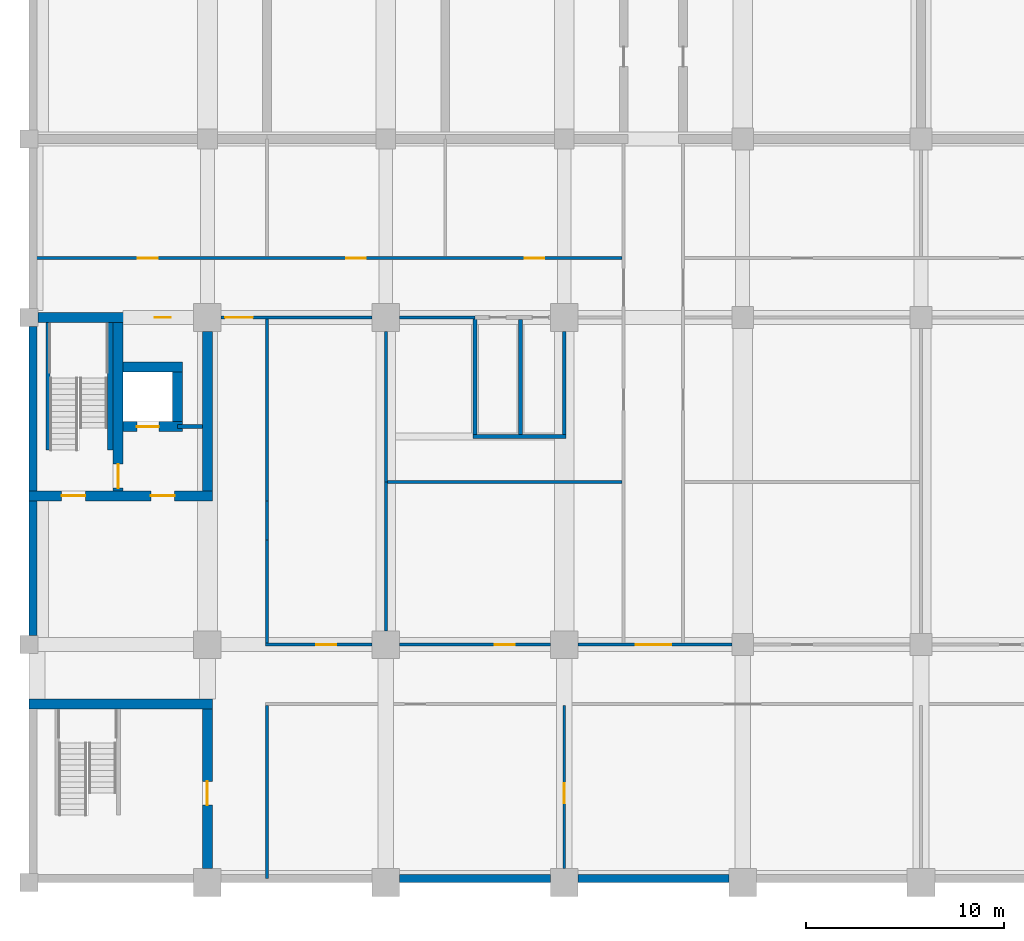
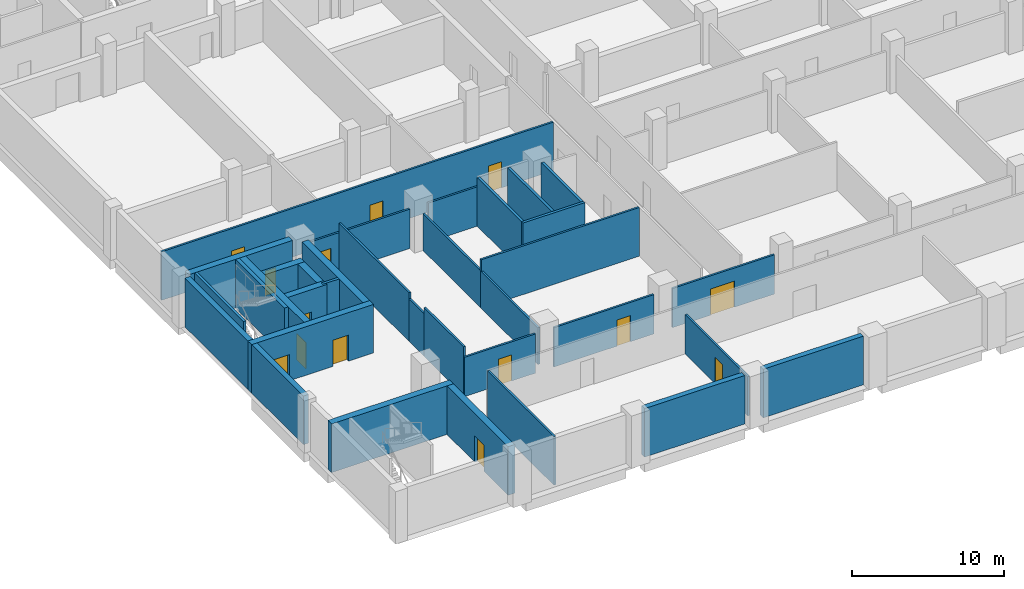
# One storey, part 4 of 16: 33 walls, 14 doors, 14 openings.
"""IFC4 building model written with IfcOpenShell, lengths in metres."""

from ifc_helpers import new_model, si_unit, direction, frame, frame_2d, origin, place, context, subcontext, project, spatial, rectangle, extrude, material, layer, layer_set, type_object, element, fill, save


model = new_model("IFC4")

# Units and contexts
model_context = context("Model", 3, precision=1e-05, world=origin(), true_north=direction((0.0, 1.0)))
body_context = subcontext(model_context, "Body", "Model", "MODEL_VIEW")
ifc_project = project(units=[si_unit("LENGTHUNIT", "METRE"), si_unit("AREAUNIT", "SQUARE_METRE"), si_unit("VOLUMEUNIT", "CUBIC_METRE"), si_unit("PLANEANGLEUNIT", "RADIAN"), si_unit("MASSUNIT", "GRAM", prefix="KILO")], contexts=[model_context])

# Site, building, storey
site_placement = place(None, origin())
site = spatial("IfcSite", under=ifc_project, at=site_placement, CompositionType="ELEMENT")
building_placement = place(site_placement, origin())
building = spatial("IfcBuilding", under=site, at=building_placement, Name="Aurelan Courthouse", CompositionType="ELEMENT")
storey_placement = place(building_placement, frame((0.0, 0.0, -4.199951171875)))
storey = spatial("IfcBuildingStorey", under=building, at=storey_placement, Name="B1", CompositionType="ELEMENT", Elevation=-4.199951171875)

# Wall, opening, door
ifc_material_1 = material(Name="Gypsum board on metal studs")
ifc_layer_1 = layer(ifc_material_1, 0.14990234375)
ifc_layer_set_1 = layer_set([ifc_layer_1], Name="Gypsum board on metal studs")
wall_type_1 = type_object("IfcWallType", Name="Corridor partition 150 EI 60", PredefinedType="PARTITIONING", material=ifc_layer_set_1)
wall_1_placement = place(storey_placement, frame((11.925048828125, 12.0, 0.0), z_axis=(0.0, 0.0, 1.0), x_axis=(1.0, 0.0, 0.0)))
wall_1 = element("IfcWall", 1, at=wall_1_placement, inside=storey, type_object=wall_type_1, Name="Corridor partition B1-002", PredefinedType="PARTITIONING", context=body_context, shape_type="SweptSolid", body=[
    extrude(rectangle(XDim=5.375, YDim=0.14990234375, at=frame_2d((2.6875, 0.0))), origin(), (0.0, 0.0, 1.0), 3.14990234375),
])
opening_1_placement = place(wall_1_placement, frame((2.574951171875, 0.0, 0.0)))
opening_1 = element("IfcOpeningElement", 2, at=opening_1_placement, cuts=wall_1, Name="Opening D-B1-047", PredefinedType="OPENING", context=body_context, shape_type="SweptSolid", body=[
    extrude(rectangle(XDim=1.0, YDim=2.10009765625, at=frame_2d((0.5, 1.050048828125))), frame((0.0, 0.0849609375, 0.0), z_axis=(0.0, -1.0, 0.0), x_axis=(1.0, 0.0, 0.0)), (0.0, 0.0, 1.0), 0.169921875),
])
ifc_material_2 = material(Name="Steel", Category="steel")
door_type_1 = type_object("IfcDoorType", Name="Single door 1000 x 2100 FD60", OperationType="SINGLE_SWING_LEFT", PredefinedType="DOOR", material=ifc_material_2)
door_1_placement = place(opening_1_placement, origin())
door_1 = element("IfcDoor", 3, at=door_1_placement, inside=storey, type_object=door_type_1, Name="Single door D-B1-047", OperationType="SINGLE_SWING_RIGHT", OverallHeight=2.10009765625, OverallWidth=1.0, PredefinedType="DOOR", context=body_context, shape_type="SweptSolid", body=[
    extrude(rectangle(XDim=1.0, YDim=2.10009765625, at=frame_2d((0.5, 1.050048828125))), frame((0.0, 0.02490234375, 0.0), z_axis=(0.0, -1.0, 0.0), x_axis=(1.0, 0.0, 0.0)), (0.0, 0.0, 1.0), 0.050048828125),
])
fill(opening_1, door_1)

wall_2_placement = place(storey_placement, frame((18.699951171875, 12.0, 0.0), z_axis=(0.0, 0.0, 1.0), x_axis=(1.0, 0.0, 0.0)))
wall_2 = element("IfcWall", 4, at=wall_2_placement, inside=storey, type_object=wall_type_1, Name="Corridor partition B1-003", PredefinedType="PARTITIONING", context=body_context, shape_type="SweptSolid", body=[
    extrude(rectangle(XDim=7.60009765625, YDim=0.14990234375, at=frame_2d((3.800048828125, 0.0))), origin(), (0.0, 0.0, 1.0), 3.14990234375),
])
opening_2_placement = place(wall_2_placement, frame((4.800048828125, 0.0, 0.0)))
opening_2 = element("IfcOpeningElement", 5, at=opening_2_placement, cuts=wall_2, Name="Opening D-B1-048", PredefinedType="OPENING", context=body_context, shape_type="SweptSolid", body=[
    extrude(rectangle(XDim=1.0, YDim=2.10009765625, at=frame_2d((0.5, 1.050048828125))), frame((0.0, 0.0849609375, 0.0), z_axis=(0.0, -1.0, 0.0), x_axis=(1.0, 0.0, 0.0)), (0.0, 0.0, 1.0), 0.169921875),
])
door_2_placement = place(opening_2_placement, origin())
door_2 = element("IfcDoor", 6, at=door_2_placement, inside=storey, type_object=door_type_1, Name="Single door D-B1-048", OperationType="SINGLE_SWING_LEFT", OverallHeight=2.10009765625, OverallWidth=1.0, PredefinedType="DOOR", context=body_context, shape_type="SweptSolid", body=[
    extrude(rectangle(XDim=1.0, YDim=2.10009765625, at=frame_2d((0.5, 1.050048828125))), frame((0.0, 0.02490234375, 0.0), z_axis=(0.0, -1.0, 0.0), x_axis=(1.0, 0.0, 0.0)), (0.0, 0.0, 1.0), 0.050048828125),
])
fill(opening_2, door_2)

wall_3_placement = place(storey_placement, frame((27.699951171875, 12.0, 0.0), z_axis=(0.0, 0.0, 1.0), x_axis=(1.0, 0.0, 0.0)))
wall_3 = element("IfcWall", 7, at=wall_3_placement, inside=storey, type_object=wall_type_1, Name="Corridor partition B1-004", PredefinedType="PARTITIONING", context=body_context, shape_type="SweptSolid", body=[
    extrude(rectangle(XDim=7.75, YDim=0.14990234375, at=frame_2d((3.875, 0.0))), origin(), (0.0, 0.0, 1.0), 3.14990234375),
])
opening_3_placement = place(wall_3_placement, frame((2.89990234375, 0.0, 0.0)))
opening_3 = element("IfcOpeningElement", 8, at=opening_3_placement, cuts=wall_3, Name="Opening D-B1-002", PredefinedType="OPENING", context=body_context, shape_type="SweptSolid", body=[
    extrude(rectangle(XDim=1.800048828125, YDim=2.10009765625, at=frame_2d((0.89990234375, 1.050048828125))), frame((0.0, 0.0849609375, 0.0), z_axis=(0.0, -1.0, 0.0), x_axis=(1.0, 0.0, 0.0)), (0.0, 0.0, 1.0), 0.169921875),
])
door_type_2 = type_object("IfcDoorType", Name="Double door 1800 x 2100 FD60", OperationType="DOUBLE_DOOR_SINGLE_SWING", PredefinedType="DOOR", material=ifc_material_2)
door_3_placement = place(opening_3_placement, origin())
door_3 = element("IfcDoor", 9, at=door_3_placement, inside=storey, type_object=door_type_2, Name="Double door D-B1-002", OperationType="DOUBLE_DOOR_SINGLE_SWING", OverallHeight=2.10009765625, OverallWidth=1.800048828125, PredefinedType="DOOR", context=body_context, shape_type="SweptSolid", body=[
    extrude(rectangle(XDim=1.800048828125, YDim=2.10009765625, at=frame_2d((0.89990234375, 1.050048828125))), frame((0.0, 0.02490234375, 0.0), z_axis=(0.0, -1.0, 0.0), x_axis=(1.0, 0.0, 0.0)), (0.0, 0.0, 1.0), 0.050048828125),
])
fill(opening_3, door_3)

wall_4_placement = place(storey_placement, frame((9.699951171875, 28.5, 0.0), z_axis=(0.0, 0.0, 1.0), x_axis=(1.0, 0.0, 0.0)))
wall_4 = element("IfcWall", 10, at=wall_4_placement, inside=storey, type_object=wall_type_1, Name="Corridor partition B1-021", PredefinedType="PARTITIONING", context=body_context, shape_type="SweptSolid", body=[
    extrude(rectangle(XDim=7.60009765625, YDim=0.14990234375, at=frame_2d((3.800048828125, 0.0))), origin(), (0.0, 0.0, 1.0), 3.14990234375),
])
opening_4_placement = place(wall_4_placement, frame((0.199951171875, 0.0, 0.0)))
opening_4 = element("IfcOpeningElement", 11, at=opening_4_placement, cuts=wall_4, Name="Opening D-B1-001", PredefinedType="OPENING", context=body_context, shape_type="SweptSolid", body=[
    extrude(rectangle(XDim=1.39990234375, YDim=2.10009765625, at=frame_2d((0.699951171875, 1.050048828125))), frame((0.0, 0.0849609375, 0.0), z_axis=(0.0, -1.0, 0.0), x_axis=(1.0, 0.0, 0.0)), (0.0, 0.0, 1.0), 0.169921875),
])
door_type_3 = type_object("IfcDoorType", Name="Double door 1400 x 2100 FD60", OperationType="DOUBLE_DOOR_SINGLE_SWING", PredefinedType="DOOR", material=ifc_material_2)
door_4_placement = place(opening_4_placement, origin())
door_4 = element("IfcDoor", 12, at=door_4_placement, inside=storey, type_object=door_type_3, Name="Double door D-B1-001", OperationType="DOUBLE_DOOR_SINGLE_SWING", OverallHeight=2.10009765625, OverallWidth=1.39990234375, PredefinedType="DOOR", context=body_context, shape_type="SweptSolid", body=[
    extrude(rectangle(XDim=1.39990234375, YDim=2.10009765625, at=frame_2d((0.699951171875, 1.050048828125))), frame((0.0, 0.02490234375, 0.0), z_axis=(0.0, -1.0, 0.0), x_axis=(1.0, 0.0, 0.0)), (0.0, 0.0, 1.0), 0.050048828125),
])
fill(opening_4, door_4)

# Wall
wall_5_placement = place(storey_placement, frame((18.699951171875, 28.5, 0.0), z_axis=(0.0, 0.0, 1.0), x_axis=(1.0, 0.0, 0.0)))
element("IfcWall", 13, at=wall_5_placement, inside=storey, type_object=wall_type_1, Name="Corridor partition B1-022", PredefinedType="PARTITIONING", context=body_context, shape_type="SweptSolid", body=[
    extrude(rectangle(XDim=3.800048828125, YDim=0.14990234375, at=frame_2d((1.89990234375, 0.0))), origin(), (0.0, 0.0, 1.0), 3.14990234375),
])

# Wall, openings, doors
wall_6_placement = place(storey_placement, frame((0.199951171875, 31.5, 0.0), z_axis=(0.0, 0.0, 1.0), x_axis=(1.0, 0.0, 0.0)))
wall_6 = element("IfcWall", 14, at=wall_6_placement, inside=storey, type_object=wall_type_1, Name="Corridor partition B1-034", PredefinedType="PARTITIONING", context=body_context, shape_type="SweptSolid", body=[
    extrude(rectangle(XDim=29.72509765625, YDim=0.14990234375, at=frame_2d((14.862548828125, 0.0))), origin(), (0.0, 0.0, 1.0), 3.89990234375),
])
opening_5_placement = place(wall_6_placement, frame((5.300048828125, 0.0, 0.0)))
opening_5 = element("IfcOpeningElement", 15, at=opening_5_placement, cuts=wall_6, Name="Opening D-B1-024", PredefinedType="OPENING", context=body_context, shape_type="SweptSolid", body=[
    extrude(rectangle(XDim=1.0, YDim=2.10009765625, at=frame_2d((0.5, 1.050048828125))), frame((0.0, 0.0849609375, 0.0), z_axis=(0.0, -1.0, 0.0), x_axis=(1.0, 0.0, 0.0)), (0.0, 0.0, 1.0), 0.169921875),
])
opening_6_placement = place(wall_6_placement, frame((15.800048828125, 0.0, 0.0)))
opening_6 = element("IfcOpeningElement", 16, at=opening_6_placement, cuts=wall_6, Name="Opening D-B1-025", PredefinedType="OPENING", context=body_context, shape_type="SweptSolid", body=[
    extrude(rectangle(XDim=1.0, YDim=2.10009765625, at=frame_2d((0.5, 1.050048828125))), frame((0.0, 0.0849609375, 0.0), z_axis=(0.0, -1.0, 0.0), x_axis=(1.0, 0.0, 0.0)), (0.0, 0.0, 1.0), 0.169921875),
])
opening_7_placement = place(wall_6_placement, frame((24.800048828125, 0.0, 0.0)))
opening_7 = element("IfcOpeningElement", 17, at=opening_7_placement, cuts=wall_6, Name="Opening D-B1-026", PredefinedType="OPENING", context=body_context, shape_type="SweptSolid", body=[
    extrude(rectangle(XDim=1.0, YDim=2.10009765625, at=frame_2d((0.5, 1.050048828125))), frame((0.0, 0.0849609375, 0.0), z_axis=(0.0, -1.0, 0.0), x_axis=(1.0, 0.0, 0.0)), (0.0, 0.0, 1.0), 0.169921875),
])
door_5_placement = place(opening_5_placement, origin())
door_5 = element("IfcDoor", 18, at=door_5_placement, inside=storey, type_object=door_type_1, Name="Single door D-B1-024", OperationType="SINGLE_SWING_LEFT", OverallHeight=2.10009765625, OverallWidth=1.0, PredefinedType="DOOR", context=body_context, shape_type="SweptSolid", body=[
    extrude(rectangle(XDim=1.0, YDim=2.10009765625, at=frame_2d((0.5, 1.050048828125))), frame((0.0, 0.02490234375, 0.0), z_axis=(0.0, -1.0, 0.0), x_axis=(1.0, 0.0, 0.0)), (0.0, 0.0, 1.0), 0.050048828125),
])
fill(opening_5, door_5)
door_6_placement = place(opening_6_placement, origin())
door_6 = element("IfcDoor", 19, at=door_6_placement, inside=storey, type_object=door_type_1, Name="Single door D-B1-025", OperationType="SINGLE_SWING_RIGHT", OverallHeight=2.10009765625, OverallWidth=1.0, PredefinedType="DOOR", context=body_context, shape_type="SweptSolid", body=[
    extrude(rectangle(XDim=1.0, YDim=2.10009765625, at=frame_2d((0.5, 1.050048828125))), frame((0.0, 0.02490234375, 0.0), z_axis=(0.0, -1.0, 0.0), x_axis=(1.0, 0.0, 0.0)), (0.0, 0.0, 1.0), 0.050048828125),
])
fill(opening_6, door_6)
door_7_placement = place(opening_7_placement, origin())
door_7 = element("IfcDoor", 20, at=door_7_placement, inside=storey, type_object=door_type_1, Name="Single door D-B1-026", OperationType="SINGLE_SWING_LEFT", OverallHeight=2.10009765625, OverallWidth=1.0, PredefinedType="DOOR", context=body_context, shape_type="SweptSolid", body=[
    extrude(rectangle(XDim=1.0, YDim=2.10009765625, at=frame_2d((0.5, 1.050048828125))), frame((0.0, 0.02490234375, 0.0), z_axis=(0.0, -1.0, 0.0), x_axis=(1.0, 0.0, 0.0)), (0.0, 0.0, 1.0), 0.050048828125),
])
fill(opening_7, door_7)

# Walls
wall_7_placement = place(storey_placement, frame((12.0, 0.199951171875, 0.0), z_axis=(0.0, 0.0, 1.0), x_axis=(0.0, 1.0, 0.0)))
element("IfcWall", 21, at=wall_7_placement, inside=storey, type_object=wall_type_1, Name="Corridor partition B1-095", PredefinedType="PARTITIONING", context=body_context, shape_type="SweptSolid", body=[
    extrude(rectangle(XDim=8.72509765625, YDim=0.14990234375, at=frame_2d((4.362548828125, 0.0))), origin(), (0.0, 0.0, 1.0), 3.89990234375),
])
wall_8_placement = place(storey_placement, frame((12.0, 12.074951171875, 0.0), z_axis=(0.0, 0.0, 1.0), x_axis=(0.0, 1.0, 0.0)))
element("IfcWall", 22, at=wall_8_placement, inside=storey, type_object=wall_type_1, Name="Corridor partition B1-096", PredefinedType="PARTITIONING", context=body_context, shape_type="SweptSolid", body=[
    extrude(rectangle(XDim=5.199951171875, YDim=0.14990234375, at=frame_2d((2.60009765625, 0.0))), origin(), (0.0, 0.0, 1.0), 3.89990234375),
])
wall_9_placement = place(storey_placement, frame((12.0, 17.27490234375, 0.0), z_axis=(0.0, 0.0, 1.0), x_axis=(0.0, 1.0, 0.0)))
element("IfcWall", 23, at=wall_9_placement, inside=storey, type_object=wall_type_1, Name="Corridor partition B1-096B", PredefinedType="PARTITIONING", context=body_context, shape_type="SweptSolid", body=[
    extrude(rectangle(XDim=1.97509765625, YDim=0.14990234375, at=frame_2d((0.987548828125, 0.0))), origin(), (0.0, 0.0, 1.0), 3.39990234375),
])
wall_10_placement = place(storey_placement, frame((12.0, 19.25, 0.0), z_axis=(0.0, 0.0, 1.0), x_axis=(0.0, 1.0, 0.0)))
element("IfcWall", 24, at=wall_10_placement, inside=storey, type_object=wall_type_1, Name="Corridor partition B1-096C", PredefinedType="PARTITIONING", context=body_context, shape_type="SweptSolid", body=[
    extrude(rectangle(XDim=9.175048828125, YDim=0.14990234375, at=frame_2d((4.58740234375, 0.0))), origin(), (0.0, 0.0, 1.0), 3.89990234375),
])

# Wall, opening, door
ifc_layer_2 = layer(ifc_material_1, 0.14990234375)
ifc_layer_set_2 = layer_set([ifc_layer_2], Name="Gypsum board on metal studs")
wall_type_2 = type_object("IfcWallType", Name="Partition 150 EI 30", PredefinedType="PARTITIONING", material=ifc_layer_set_2)
wall_11_placement = place(storey_placement, frame((27.0, 0.699951171875, 0.0), z_axis=(0.0, 0.0, 1.0), x_axis=(0.0, 1.0, 0.0)))
wall_11 = element("IfcWall", 25, at=wall_11_placement, inside=storey, type_object=wall_type_2, Name="Partition B1-108", PredefinedType="PARTITIONING", context=body_context, shape_type="SweptSolid", body=[
    extrude(rectangle(XDim=8.22509765625, YDim=0.14990234375, at=frame_2d((4.112548828125, 0.0))), origin(), (0.0, 0.0, 1.0), 3.14990234375),
])
opening_8_placement = place(wall_11_placement, frame((4.300048828125, 0.0, 0.0), z_axis=(0.0, 0.0, 1.0), x_axis=(-1.0, 0.0, 0.0)))
opening_8 = element("IfcOpeningElement", 26, at=opening_8_placement, cuts=wall_11, Name="Opening D-B1-069", PredefinedType="OPENING", context=body_context, shape_type="SweptSolid", body=[
    extrude(rectangle(XDim=1.0, YDim=2.10009765625, at=frame_2d((0.5, 1.050048828125))), frame((0.0, 0.0849609375, 0.0), z_axis=(0.0, -1.0, 0.0), x_axis=(1.0, 0.0, 0.0)), (0.0, 0.0, 1.0), 0.169921875),
])
door_type_4 = type_object("IfcDoorType", Name="Single door 1000 x 2100 FD30S", OperationType="SINGLE_SWING_LEFT", PredefinedType="DOOR", material=ifc_material_2)
door_8_placement = place(opening_8_placement, origin())
door_8 = element("IfcDoor", 27, at=door_8_placement, inside=storey, type_object=door_type_4, Name="Single door D-B1-069", OperationType="SINGLE_SWING_RIGHT", OverallHeight=2.10009765625, OverallWidth=1.0, PredefinedType="DOOR", context=body_context, shape_type="SweptSolid", body=[
    extrude(rectangle(XDim=1.0, YDim=2.10009765625, at=frame_2d((0.5, 1.050048828125))), frame((0.0, 0.02490234375, 0.0), z_axis=(0.0, -1.0, 0.0), x_axis=(1.0, 0.0, 0.0)), (0.0, 0.0, 1.0), 0.050048828125),
])
fill(opening_8, door_8)

# Walls
ifc_layer_3 = layer(ifc_material_1, 0.14990234375)
ifc_layer_set_3 = layer_set([ifc_layer_3], Name="Gypsum board on metal studs")
wall_type_3 = type_object("IfcWallType", Name="Partition 150 NOT RATED", PredefinedType="PARTITIONING", material=ifc_layer_set_3)
wall_12_placement = place(storey_placement, frame((18.0, 12.699951171875, 0.0), z_axis=(0.0, 0.0, 1.0), x_axis=(0.0, 1.0, 0.0)))
element("IfcWall", 28, at=wall_12_placement, inside=storey, type_object=wall_type_3, Name="Partition B1-099", PredefinedType="PARTITIONING", context=body_context, shape_type="SweptSolid", body=[
    extrude(rectangle(XDim=7.5, YDim=0.14990234375, at=frame_2d((3.75, 0.0))), origin(), (0.0, 0.0, 1.0), 2.949951171875),
])
ifc_material_3 = material(Name="Concrete C50", Category="concrete")
ifc_layer_4 = layer(ifc_material_3, 0.39990234375)
ifc_layer_set_4 = layer_set([ifc_layer_4], Name="Concrete C50")
wall_type_4 = type_object("IfcWallType", Name="RC retaining wall 400", PredefinedType="SOLIDWALL", material=ifc_layer_set_4)
for number, where, z_axis, x_axis, name in (
    (29, (18.699951171875, 0.199951171875, 0.0), (0.0, 0.0, 1.0), (1.0, 0.0, 0.0), "Retaining wall SW-B1-003"),
    (30, (27.699951171875, 0.199951171875, 0.0), (0.0, 0.0, 1.0), (1.0, 0.0, 0.0), "Retaining wall SW-B1-004"),
):
    element("IfcWall", number, at=place(storey_placement, frame(where, z_axis=z_axis, x_axis=x_axis)), inside=storey, type_object=wall_type_4, Name=name, PredefinedType="SOLIDWALL", context=body_context, shape_type="SweptSolid", body=[
        extrude(rectangle(XDim=7.60009765625, YDim=0.39990234375, at=frame_2d((3.800048828125, 0.0))), origin(), (0.0, 0.0, 1.0), 3.89990234375),
    ])
wall_13_placement = place(storey_placement, frame((0.199951171875, 12.449951171875, 0.0), z_axis=(0.0, 0.0, 1.0), x_axis=(0.0, 1.0, 0.0)))
element("IfcWall", 31, at=wall_13_placement, inside=storey, type_object=wall_type_4, Name="Retaining wall SW-B1-017", PredefinedType="SOLIDWALL", context=body_context, shape_type="SweptSolid", body=[
    extrude(rectangle(XDim=15.60009765625, YDim=0.39990234375, at=frame_2d((7.800048828125, 0.0))), origin(), (0.0, 0.0, 1.0), 3.89990234375),
])

# Wall, opening, door
ifc_layer_5 = layer(ifc_material_3, 0.5)
ifc_layer_set_5 = layer_set([ifc_layer_5], Name="Concrete C50")
wall_type_5 = type_object("IfcWallType", Name="RC shear wall 500", PredefinedType="SHEAR", material=ifc_layer_set_5)
wall_14_placement = place(storey_placement, frame((9.0, 0.699951171875, 0.0), z_axis=(0.0, 0.0, 1.0), x_axis=(0.0, 1.0, 0.0)))
wall_14 = element("IfcWall", 32, at=wall_14_placement, inside=storey, type_object=wall_type_5, Name="Core wall SW-B1-014", PredefinedType="SHEAR", context=body_context, shape_type="SweptSolid", body=[
    extrude(rectangle(XDim=8.050048828125, YDim=0.5, at=frame_2d((4.02490234375, 0.0))), origin(), (0.0, 0.0, 1.0), 3.89990234375),
])
opening_9_placement = place(wall_14_placement, frame((3.199951171875, 0.0, 0.0)))
opening_9 = element("IfcOpeningElement", 33, at=opening_9_placement, cuts=wall_14, Name="Opening D-B1-050", PredefinedType="OPENING", context=body_context, shape_type="SweptSolid", body=[
    extrude(rectangle(XDim=1.199951171875, YDim=2.10009765625, at=frame_2d((0.60009765625, 1.050048828125))), frame((0.0, 0.260009765625, 0.0), z_axis=(0.0, -1.0, 0.0), x_axis=(1.0, 0.0, 0.0)), (0.0, 0.0, 1.0), 0.52001953125),
])
door_type_5 = type_object("IfcDoorType", Name="Single door 1200 x 2100 FD90", OperationType="SINGLE_SWING_LEFT", PredefinedType="DOOR", material=ifc_material_2)
door_9_placement = place(opening_9_placement, origin())
door_9 = element("IfcDoor", 34, at=door_9_placement, inside=storey, type_object=door_type_5, Name="Single door D-B1-050", OperationType="SINGLE_SWING_LEFT", OverallHeight=2.10009765625, OverallWidth=1.199951171875, PredefinedType="DOOR", context=body_context, shape_type="SweptSolid", body=[
    extrude(rectangle(XDim=1.199951171875, YDim=2.10009765625, at=frame_2d((0.60009765625, 1.050048828125))), frame((0.0, 0.02490234375, 0.0), z_axis=(0.0, -1.0, 0.0), x_axis=(1.0, 0.0, 0.0)), (0.0, 0.0, 1.0), 0.050048828125),
])
fill(opening_9, door_9)

# Wall
wall_15_placement = place(storey_placement, frame((0.0, 9.0, 0.0), z_axis=(0.0, 0.0, 1.0), x_axis=(1.0, 0.0, 0.0)))
element("IfcWall", 35, at=wall_15_placement, inside=storey, type_object=wall_type_5, Name="Core wall SW-B1-015", PredefinedType="SHEAR", context=body_context, shape_type="SweptSolid", body=[
    extrude(rectangle(XDim=9.25, YDim=0.5, at=frame_2d((4.625, 0.0))), origin(), (0.0, 0.0, 1.0), 3.89990234375),
])

# Wall, openings, doors
wall_16_placement = place(storey_placement, frame((0.0, 19.5, 0.0), z_axis=(0.0, 0.0, 1.0), x_axis=(1.0, 0.0, 0.0)))
wall_16 = element("IfcWall", 36, at=wall_16_placement, inside=storey, type_object=wall_type_5, Name="Core wall SW-B1-019", PredefinedType="SHEAR", context=body_context, shape_type="SweptSolid", body=[
    extrude(rectangle(XDim=9.25, YDim=0.5, at=frame_2d((4.625, 0.0))), origin(), (0.0, 0.0, 1.0), 3.89990234375),
])
opening_10_placement = place(wall_16_placement, frame((1.64990234375, 0.0, 0.0)))
opening_10 = element("IfcOpeningElement", 37, at=opening_10_placement, cuts=wall_16, Name="Opening D-B1-054", PredefinedType="OPENING", context=body_context, shape_type="SweptSolid", body=[
    extrude(rectangle(XDim=1.199951171875, YDim=2.10009765625, at=frame_2d((0.60009765625, 1.050048828125))), frame((0.0, 0.260009765625, 0.0), z_axis=(0.0, -1.0, 0.0), x_axis=(1.0, 0.0, 0.0)), (0.0, 0.0, 1.0), 0.52001953125),
])
opening_11_placement = place(wall_16_placement, frame((7.349853515625, 0.0, 0.0), z_axis=(0.0, 0.0, 1.0), x_axis=(-1.0, 0.0, 0.0)))
opening_11 = element("IfcOpeningElement", 38, at=opening_11_placement, cuts=wall_16, Name="Opening D-B1-072", PredefinedType="OPENING", context=body_context, shape_type="SweptSolid", body=[
    extrude(rectangle(XDim=1.199951171875, YDim=2.10009765625, at=frame_2d((0.60009765625, 1.050048828125))), frame((0.0, 0.260009765625, 0.0), z_axis=(0.0, -1.0, 0.0), x_axis=(1.0, 0.0, 0.0)), (0.0, 0.0, 1.0), 0.52001953125),
])
door_10_placement = place(opening_10_placement, origin())
door_10 = element("IfcDoor", 39, at=door_10_placement, inside=storey, type_object=door_type_5, Name="Single door D-B1-054", OperationType="SINGLE_SWING_LEFT", OverallHeight=2.10009765625, OverallWidth=1.199951171875, PredefinedType="DOOR", context=body_context, shape_type="SweptSolid", body=[
    extrude(rectangle(XDim=1.199951171875, YDim=2.10009765625, at=frame_2d((0.60009765625, 1.050048828125))), frame((0.0, 0.02490234375, 0.0), z_axis=(0.0, -1.0, 0.0), x_axis=(1.0, 0.0, 0.0)), (0.0, 0.0, 1.0), 0.050048828125),
])
fill(opening_10, door_10)
door_11_placement = place(opening_11_placement, origin())
door_11 = element("IfcDoor", 40, at=door_11_placement, inside=storey, type_object=door_type_5, Name="Single door D-B1-072", OperationType="SINGLE_SWING_LEFT", OverallHeight=2.10009765625, OverallWidth=1.199951171875, PredefinedType="DOOR", context=body_context, shape_type="SweptSolid", body=[
    extrude(rectangle(XDim=1.199951171875, YDim=2.10009765625, at=frame_2d((0.60009765625, 1.050048828125))), frame((0.0, 0.02490234375, 0.0), z_axis=(0.0, -1.0, 0.0), x_axis=(1.0, 0.0, 0.0)), (0.0, 0.0, 1.0), 0.050048828125),
])
fill(opening_11, door_11)

# Wall, opening, door
wall_17_placement = place(storey_placement, frame((4.5, 19.75, 0.0), z_axis=(0.0, 0.0, 1.0), x_axis=(0.0, 1.0, 0.0)))
wall_17 = element("IfcWall", 41, at=wall_17_placement, inside=storey, type_object=wall_type_5, Name="Core wall SW-B1-020", PredefinedType="SHEAR", context=body_context, shape_type="SweptSolid", body=[
    extrude(rectangle(XDim=8.5, YDim=0.5, at=frame_2d((4.25, 0.0))), origin(), (0.0, 0.0, 1.0), 3.89990234375),
])
opening_12_placement = place(wall_17_placement, frame((0.14990234375, 0.0, 0.0)))
opening_12 = element("IfcOpeningElement", 42, at=opening_12_placement, cuts=wall_17, Name="Opening D-B1-073", PredefinedType="OPENING", context=body_context, shape_type="SweptSolid", body=[
    extrude(rectangle(XDim=1.199951171875, YDim=2.10009765625, at=frame_2d((0.60009765625, 1.050048828125))), frame((0.0, 0.260009765625, 0.0), z_axis=(0.0, -1.0, 0.0), x_axis=(1.0, 0.0, 0.0)), (0.0, 0.0, 1.0), 0.52001953125),
])
door_12_placement = place(opening_12_placement, origin())
door_12 = element("IfcDoor", 43, at=door_12_placement, inside=storey, type_object=door_type_5, Name="Single door D-B1-073", OperationType="SINGLE_SWING_LEFT", OverallHeight=2.10009765625, OverallWidth=1.199951171875, PredefinedType="DOOR", context=body_context, shape_type="SweptSolid", body=[
    extrude(rectangle(XDim=1.199951171875, YDim=2.10009765625, at=frame_2d((0.60009765625, 1.050048828125))), frame((0.0, 0.02490234375, 0.0), z_axis=(0.0, -1.0, 0.0), x_axis=(1.0, 0.0, 0.0)), (0.0, 0.0, 1.0), 0.050048828125),
])
fill(opening_12, door_12)

# Wall
wall_18_placement = place(storey_placement, frame((9.0, 19.75, 0.0), z_axis=(0.0, 0.0, 1.0), x_axis=(0.0, 1.0, 0.0)))
element("IfcWall", 44, at=wall_18_placement, inside=storey, type_object=wall_type_5, Name="Core wall SW-B1-021", PredefinedType="SHEAR", context=body_context, shape_type="SweptSolid", body=[
    extrude(rectangle(XDim=8.050048828125, YDim=0.5, at=frame_2d((4.02490234375, 0.0))), origin(), (0.0, 0.0, 1.0), 3.89990234375),
])

# Wall, opening, door
wall_19_placement = place(storey_placement, frame((4.75, 23.0, 0.0), z_axis=(0.0, 0.0, 1.0), x_axis=(1.0, 0.0, 0.0)))
wall_19 = element("IfcWall", 45, at=wall_19_placement, inside=storey, type_object=wall_type_5, Name="Core wall SW-B1-022", PredefinedType="SHEAR", context=body_context, shape_type="SweptSolid", body=[
    extrude(rectangle(XDim=3.0, YDim=0.5, at=frame_2d((1.5, 0.0))), origin(), (0.0, 0.0, 1.0), 3.89990234375),
])
opening_13_placement = place(wall_19_placement, frame((0.699951171875, 0.0, 0.0)))
opening_13 = element("IfcOpeningElement", 46, at=opening_13_placement, cuts=wall_19, Name="Opening LD-V5-F1-B1", PredefinedType="OPENING", context=body_context, shape_type="SweptSolid", body=[
    extrude(rectangle(XDim=1.10009765625, YDim=2.10009765625, at=frame_2d((0.550048828125, 1.050048828125))), frame((0.0, 0.260009765625, 0.0), z_axis=(0.0, -1.0, 0.0), x_axis=(1.0, 0.0, 0.0)), (0.0, 0.0, 1.0), 0.52001953125),
])
door_type_6 = type_object("IfcDoorType", Name="Lift landing door 1100 x 2100 FD90", OperationType="SLIDING_TO_LEFT", PredefinedType="DOOR", material=ifc_material_2)
door_13_placement = place(opening_13_placement, origin())
door_13 = element("IfcDoor", 47, at=door_13_placement, inside=storey, type_object=door_type_6, Name="Lift landing door LD-V5-F1-B1", OperationType="SLIDING_TO_LEFT", OverallHeight=2.10009765625, OverallWidth=1.10009765625, PredefinedType="DOOR", context=body_context, shape_type="SweptSolid", body=[
    extrude(rectangle(XDim=1.10009765625, YDim=2.10009765625, at=frame_2d((0.550048828125, 1.050048828125))), frame((0.0, 0.02490234375, 0.0), z_axis=(0.0, -1.0, 0.0), x_axis=(1.0, 0.0, 0.0)), (0.0, 0.0, 1.0), 0.050048828125),
])
fill(opening_13, door_13)

# Walls
wall_20_placement = place(storey_placement, frame((7.5, 23.25, 0.0), z_axis=(0.0, 0.0, 1.0), x_axis=(0.0, 1.0, 0.0)))
element("IfcWall", 48, at=wall_20_placement, inside=storey, type_object=wall_type_5, Name="Core wall SW-B1-023", PredefinedType="SHEAR", context=body_context, shape_type="SweptSolid", body=[
    extrude(rectangle(XDim=2.5, YDim=0.5, at=frame_2d((1.25, 0.0))), origin(), (0.0, 0.0, 1.0), 3.89990234375),
])
wall_21_placement = place(storey_placement, frame((4.75, 26.0, 0.0), z_axis=(0.0, 0.0, 1.0), x_axis=(1.0, 0.0, 0.0)))
element("IfcWall", 49, at=wall_21_placement, inside=storey, type_object=wall_type_5, Name="Core wall SW-B1-024", PredefinedType="SHEAR", context=body_context, shape_type="SweptSolid", body=[
    extrude(rectangle(XDim=3.0, YDim=0.5, at=frame_2d((1.5, 0.0))), origin(), (0.0, 0.0, 1.0), 3.89990234375),
])

# Wall, opening, door
wall_22_placement = place(storey_placement, frame((0.449951171875, 28.5, 0.0), z_axis=(0.0, 0.0, 1.0), x_axis=(1.0, 0.0, 0.0)))
wall_22 = element("IfcWall", 50, at=wall_22_placement, inside=storey, type_object=wall_type_5, Name="Core wall SW-B1-025", PredefinedType="SHEAR", context=body_context, shape_type="SweptSolid", body=[
    extrude(rectangle(XDim=7.85009765625, YDim=0.5, at=frame_2d((3.925048828125, 0.0))), origin(), (0.0, 0.0, 1.0), 3.89990234375),
])
opening_14_placement = place(wall_22_placement, frame((6.699951171875, 0.0, 0.0), z_axis=(0.0, 0.0, 1.0), x_axis=(-1.0, 0.0, 0.0)))
opening_14 = element("IfcOpeningElement", 51, at=opening_14_placement, cuts=wall_22, Name="Opening D-B1-055", PredefinedType="OPENING", context=body_context, shape_type="SweptSolid", body=[
    extrude(rectangle(XDim=0.800048828125, YDim=2.0, at=frame_2d((0.39990234375, 1.0))), frame((0.0, 0.260009765625, 0.0), z_axis=(0.0, -1.0, 0.0), x_axis=(1.0, 0.0, 0.0)), (0.0, 0.0, 1.0), 0.52001953125),
])
door_type_7 = type_object("IfcDoorType", Name="Single door 800 x 2000 FD90", OperationType="SINGLE_SWING_LEFT", PredefinedType="DOOR", material=ifc_material_2)
door_14_placement = place(opening_14_placement, origin())
door_14 = element("IfcDoor", 52, at=door_14_placement, inside=storey, type_object=door_type_7, Name="Single door D-B1-055", OperationType="SINGLE_SWING_LEFT", OverallHeight=2.0, OverallWidth=0.800048828125, PredefinedType="DOOR", context=body_context, shape_type="SweptSolid", body=[
    extrude(rectangle(XDim=0.800048828125, YDim=2.0, at=frame_2d((0.39990234375, 1.0))), frame((0.0, 0.02490234375, 0.0), z_axis=(0.0, -1.0, 0.0), x_axis=(1.0, 0.0, 0.0)), (0.0, 0.0, 1.0), 0.050048828125),
])
fill(opening_14, door_14)

# Walls
ifc_material_4 = material(Name="Concrete C30", Category="concrete")
ifc_layer_6 = layer(ifc_material_4, 0.199951171875)
ifc_layer_set_6 = layer_set([ifc_layer_6], Name="Concrete C30")
wall_type_6 = type_object("IfcWallType", Name="Shaft wall 200 EI 120 load-bearing", PredefinedType="SHEAR", material=ifc_layer_set_6)
wall_23_placement = place(storey_placement, frame((22.39990234375, 22.5, 0.0), z_axis=(0.0, 0.0, 1.0), x_axis=(1.0, 0.0, 0.0)))
element("IfcWall", 53, at=wall_23_placement, inside=storey, type_object=wall_type_6, Name="Shaft wall B1-018", PredefinedType="SHEAR", context=body_context, shape_type="SweptSolid", body=[
    extrude(rectangle(XDim=4.7001953125, YDim=0.199951171875, at=frame_2d((2.35009765625, 0.0))), origin(), (0.0, 0.0, 1.0), 3.89990234375),
])
wall_24_placement = place(storey_placement, frame((7.5, 23.0, 0.0), z_axis=(0.0, 0.0, 1.0), x_axis=(1.0, 0.0, 0.0)))
element("IfcWall", 54, at=wall_24_placement, inside=storey, type_object=wall_type_6, Name="Shaft wall B1-019", PredefinedType="SHEAR", context=body_context, shape_type="SweptSolid", body=[
    extrude(rectangle(XDim=1.25, YDim=0.199951171875, at=frame_2d((0.625, 0.0))), origin(), (0.0, 0.0, 1.0), 3.89990234375),
])
wall_25_placement = place(storey_placement, frame((22.5, 22.60009765625, 0.0), z_axis=(0.0, 0.0, 1.0), x_axis=(0.0, 1.0, 0.0)))
element("IfcWall", 55, at=wall_25_placement, inside=storey, type_object=wall_type_6, Name="Shaft wall B1-104", PredefinedType="SHEAR", context=body_context, shape_type="SweptSolid", body=[
    extrude(rectangle(XDim=5.824951171875, YDim=0.199951171875, at=frame_2d((2.91259765625, 0.0))), origin(), (0.0, 0.0, 1.0), 3.89990234375),
])
wall_26_placement = place(storey_placement, frame((24.800048828125, 22.60009765625, 0.0), z_axis=(0.0, 0.0, 1.0), x_axis=(0.0, 1.0, 0.0)))
element("IfcWall", 56, at=wall_26_placement, inside=storey, type_object=wall_type_6, Name="Shaft wall B1-107", PredefinedType="SHEAR", context=body_context, shape_type="SweptSolid", body=[
    extrude(rectangle(XDim=5.7998046875, YDim=0.199951171875, at=frame_2d((2.89990234375, 0.0))), origin(), (0.0, 0.0, 1.0), 3.89990234375),
])
wall_27_placement = place(storey_placement, frame((27.0, 22.60009765625, 0.0), z_axis=(0.0, 0.0, 1.0), x_axis=(0.0, 1.0, 0.0)))
element("IfcWall", 57, at=wall_27_placement, inside=storey, type_object=wall_type_6, Name="Shaft wall B1-109", PredefinedType="SHEAR", context=body_context, shape_type="SweptSolid", body=[
    extrude(rectangle(XDim=5.199951171875, YDim=0.199951171875, at=frame_2d((2.60009765625, 0.0))), origin(), (0.0, 0.0, 1.0), 3.89990234375),
])
ifc_layer_7 = layer(ifc_material_4, 0.199951171875)
ifc_layer_set_7 = layer_set([ifc_layer_7], Name="Concrete C30")
wall_type_7 = type_object("IfcWallType", Name="Stair well wall 200 EI 120 load-bearing", PredefinedType="SHEAR", material=ifc_layer_set_7)
wall_28_placement = place(storey_placement, frame((0.9599609375, 21.81005859375, 0.0), z_axis=(0.0, 0.0, 1.0), x_axis=(0.0, 1.0, 0.0)))
element("IfcWall", 58, at=wall_28_placement, inside=storey, type_object=wall_type_7, Name="Stair well wall ST-5B-B1 A", PredefinedType="SHEAR", context=body_context, shape_type="SweptSolid", body=[
    extrude(rectangle(XDim=6.43994140625, YDim=0.199951171875, at=frame_2d((3.219970703125, 0.0))), origin(), (0.0, 0.0, 1.0), 3.89990234375),
])
ifc_layer_8 = layer(ifc_material_4, 0.2900390625)
ifc_layer_set_8 = layer_set([ifc_layer_8], Name="Concrete C30")
wall_type_8 = type_object("IfcWallType", Name="Stair well wall 290 EI 120 load-bearing", PredefinedType="SHEAR", material=ifc_layer_set_8)
wall_29_placement = place(storey_placement, frame((4.10498046875, 21.81005859375, 0.0), z_axis=(0.0, 0.0, 1.0), x_axis=(0.0, 1.0, 0.0)))
element("IfcWall", 59, at=wall_29_placement, inside=storey, type_object=wall_type_8, Name="Stair well wall ST-5B-B1 B", PredefinedType="SHEAR", context=body_context, shape_type="SweptSolid", body=[
    extrude(rectangle(XDim=6.43994140625, YDim=0.2900390625, at=frame_2d((3.219970703125, 0.0))), origin(), (0.0, 0.0, 1.0), 3.89990234375),
])
ifc_material_5 = material(Name="Masonry block", Category="masonry")
ifc_layer_9 = layer(ifc_material_5, 0.14990234375)
ifc_layer_set_9 = layer_set([ifc_layer_9], Name="Masonry block")
wall_type_9 = type_object("IfcWallType", Name="Store wall 150 EI 60", PredefinedType="PARTITIONING", material=ifc_layer_set_9)
wall_30_placement = place(storey_placement, frame((17.925048828125, 20.199951171875, 0.0), z_axis=(0.0, 0.0, 1.0), x_axis=(1.0, 0.0, 0.0)))
element("IfcWall", 60, at=wall_30_placement, inside=storey, type_object=wall_type_9, Name="Store wall B1-014", PredefinedType="PARTITIONING", context=body_context, shape_type="SweptSolid", body=[
    extrude(rectangle(XDim=12.0, YDim=0.14990234375, at=frame_2d((6.0, 0.0))), origin(), (0.0, 0.0, 1.0), 3.89990234375),
])
wall_31_placement = place(storey_placement, frame((18.0, 20.199951171875, 0.0), z_axis=(0.0, 0.0, 1.0), x_axis=(0.0, 1.0, 0.0)))
element("IfcWall", 61, at=wall_31_placement, inside=storey, type_object=wall_type_9, Name="Store wall B1-100", PredefinedType="PARTITIONING", context=body_context, shape_type="SweptSolid", body=[
    extrude(rectangle(XDim=7.60009765625, YDim=0.14990234375, at=frame_2d((3.800048828125, 0.0))), origin(), (0.0, 0.0, 1.0), 2.949951171875),
])

save(model, "model.ifc")
